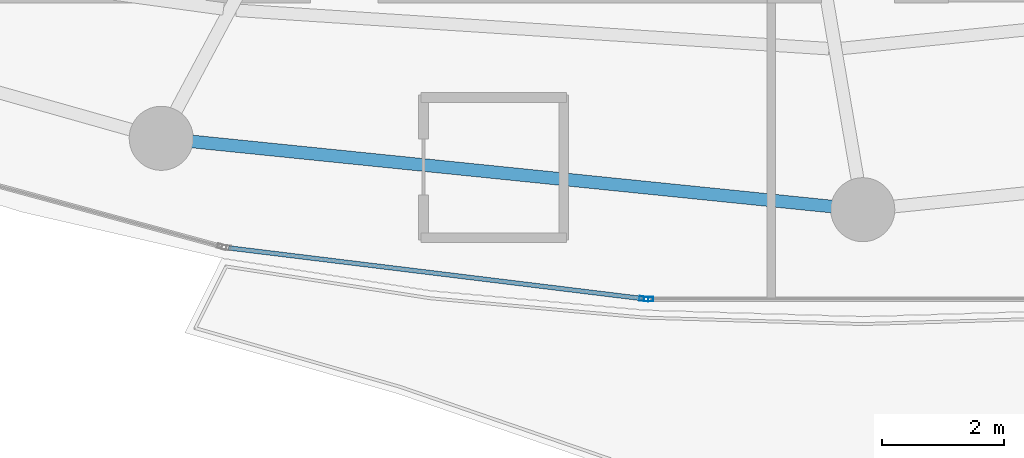
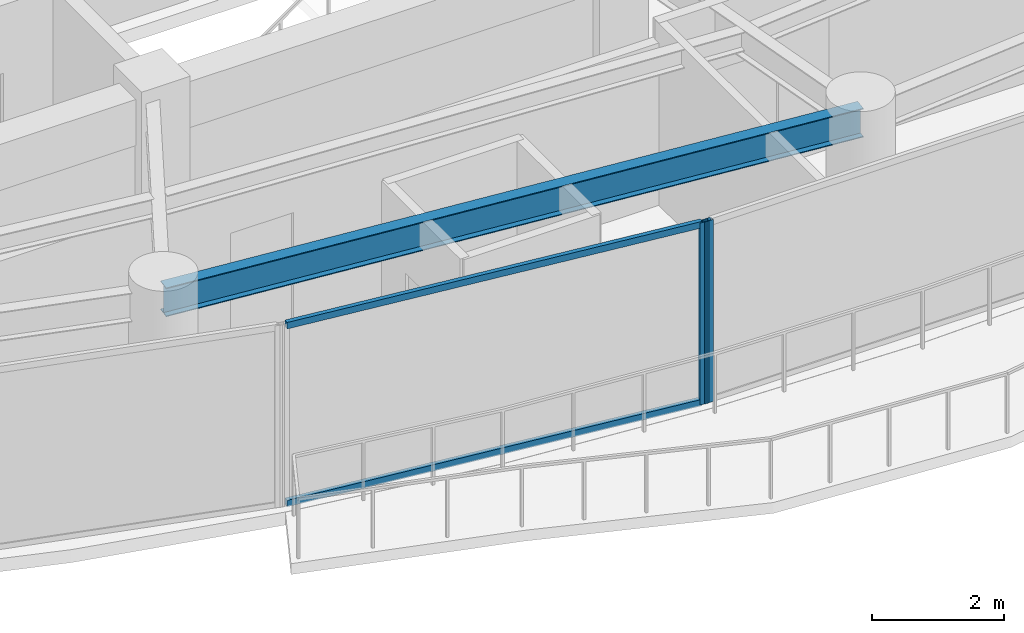
# One storey, part 6 of 31: 4 members, 1 beam, 2 elements without a shape of their own.
"""IFC4 building model written with IfcOpenShell, lengths in metres."""

import ifcopenshell
import ifcopenshell.guid

model = None  # the IFC model being written
_history = None  # IfcOwnerHistory: only IFC2X3 demands one
_inside = {}  # id of a spatial element -> (the spatial element, [elements in it])
_under = {}  # id of a project, library or spatial element -> (it, [spatial elements below it])
_declared = {}  # id of a project -> (the project, [libraries it declares])
_typed = {}  # id of a type object -> (the type object, [elements of that type])
_made_of = {}  # id of a material, layer set ... -> (it, [elements and type objects made of it])


def new_model(schema):
    """Start an empty IFC model of exactly this schema.

    Asked for "IFC4X3", IfcOpenShell would pick the latest addendum, in which some entities
    have other attributes; the version numbers below select the first issue.
    IFC2X3 requires an IfcOwnerHistory on every rooted entity: one is made here for all.
    """
    global model, _history
    if schema == "IFC4X3":
        model = ifcopenshell.file(schema_version=(4, 3, 0, 0))
    else:
        model = ifcopenshell.file(schema=schema)
    _inside.clear()
    _under.clear()
    _declared.clear()
    _typed.clear()
    _made_of.clear()
    _history = None
    if model.schema == "IFC2X3":
        org = make("IfcOrganization", Name="unknown")
        user = make(
            "IfcPersonAndOrganization",
            ThePerson=make("IfcPerson", FamilyName="unknown"),
            TheOrganization=org,
        )
        app = make(
            "IfcApplication",
            ApplicationDeveloper=org,
            Version="unknown",
            ApplicationFullName="unknown",
            ApplicationIdentifier="unknown",
        )
        _history = make(
            "IfcOwnerHistory",
            OwningUser=user,
            OwningApplication=app,
            ChangeAction="ADDED",
            CreationDate=0,
        )
    return model


def make(cls, **values):
    """One entity of the class cls with the attributes given. An attribute that is None is left unset."""
    return model.create_entity(
        cls, **{name: value for name, value in values.items() if value is not None}
    )


def rooted(cls, **values):
    """An entity with a GlobalId (a new one), such as an element, a storey or a relation."""
    return make(cls, GlobalId=ifcopenshell.guid.new(), OwnerHistory=_history, **values)


def si_unit(unit_type, name, prefix=None):
    """IfcSIUnit, for example si_unit("LENGTHUNIT", "METRE", prefix="MILLI")."""
    return make("IfcSIUnit", UnitType=unit_type, Prefix=prefix, Name=name)


def assignment(units):
    """IfcUnitAssignment: the units of a project."""
    return None if units is None else make("IfcUnitAssignment", Units=units)


def point(xyz):
    """IfcCartesianPoint."""
    return None if xyz is None else make("IfcCartesianPoint", Coordinates=xyz)


def direction(xyz):
    """IfcDirection."""
    return None if xyz is None else make("IfcDirection", DirectionRatios=xyz)


def frame(location, z_axis=None, x_axis=None):
    """IfcAxis2Placement3D, a coordinate frame: its origin and axes. An axis left out is left unset."""
    return make(
        "IfcAxis2Placement3D",
        Location=point(location),
        Axis=direction(z_axis),
        RefDirection=direction(x_axis),
    )


def frame_2d(location, x_axis=None):
    """IfcAxis2Placement2D, a coordinate frame in the plane: its origin and x axis."""
    return make(
        "IfcAxis2Placement2D", Location=point(location), RefDirection=direction(x_axis)
    )


def origin():
    """The frame at (0, 0, 0) with its axes left unset."""
    return frame((0.0, 0.0, 0.0))


def origin_2d():
    """The frame at (0, 0) in the plane with its x axis left unset."""
    return frame_2d((0.0, 0.0))


def place(relative_to, where):
    """IfcLocalPlacement: puts the frame where relative to a parent placement (None: the world)."""
    return make(
        "IfcLocalPlacement", PlacementRelTo=relative_to, RelativePlacement=where
    )


def context(
    kind, dimensions, precision=None, world=None, true_north=None, identifier=None
):
    """IfcGeometricRepresentationContext, for example the 3D "Model" context."""
    return make(
        "IfcGeometricRepresentationContext",
        ContextIdentifier=identifier,
        ContextType=kind,
        CoordinateSpaceDimension=dimensions,
        Precision=precision,
        WorldCoordinateSystem=world,
        TrueNorth=true_north,
    )


def subcontext(parent, identifier, kind, view, scale=None):
    """IfcGeometricRepresentationSubContext, for example "Body" below "Model"."""
    return make(
        "IfcGeometricRepresentationSubContext",
        ContextIdentifier=identifier,
        ContextType=kind,
        ParentContext=parent,
        TargetScale=scale,
        TargetView=view,
    )


def project(units=None, contexts=None):
    """IfcProject with its units and contexts."""
    return rooted(
        "IfcProject",
        Name="project",
        RepresentationContexts=contexts,
        UnitsInContext=assignment(units),
    )


def spatial(cls, under=None, at=None, **own):
    """A site, building, storey or space (cls), placed at a placement, below another one or the project."""
    s = rooted(cls, ObjectPlacement=at, **own)
    if under is not None:
        _under.setdefault(under.id(), (under, []))[1].append(s)
    return s


def profile(cls, at=None, kind="AREA", **sizes):
    """A parametric profile (cls). Its sizes go by their IFC names, for example OverallWidth=200.0."""
    return make(cls, ProfileType=kind, Position=at, **sizes)


def hollow_rectangle(**sizes):
    """IfcRectangleHollowProfileDef."""
    return profile("IfcRectangleHollowProfileDef", **sizes)


def i_section(**sizes):
    """IfcIShapeProfileDef."""
    return profile("IfcIShapeProfileDef", **sizes)


def extrude(swept, where, along, depth):
    """IfcExtrudedAreaSolid: the profile swept, set in the frame where, extruded along a direction by depth."""
    return make(
        "IfcExtrudedAreaSolid",
        SweptArea=swept,
        Position=where,
        ExtrudedDirection=direction(along),
        Depth=depth,
    )


def shape(context_of_items, identifier, shape_type, items):
    """IfcShapeRepresentation: the items that make up one representation, for example the "Body"."""
    return make(
        "IfcShapeRepresentation",
        ContextOfItems=context_of_items,
        RepresentationIdentifier=identifier,
        RepresentationType=shape_type,
        Items=items,
    )


def material(Name=None, Category=None):
    """IfcMaterial."""
    return make("IfcMaterial", Name=Name, Category=Category)


def layer(
    of_material, thickness, ventilated=None, Name=None, Category=None, Priority=None
):
    """IfcMaterialLayer: one layer of a wall or slab, of a material (None: an air gap)."""
    return make(
        "IfcMaterialLayer",
        Material=of_material,
        LayerThickness=thickness,
        IsVentilated=ventilated,
        Name=Name,
        Category=Category,
        Priority=Priority,
    )


def layer_set(layers, Name=None):
    """IfcMaterialLayerSet."""
    return make("IfcMaterialLayerSet", MaterialLayers=layers, LayerSetName=Name)


def material_profile(
    of_material, cross_section, Name=None, Category=None, Priority=None
):
    """IfcMaterialProfile: a cross section and its material."""
    return make(
        "IfcMaterialProfile",
        Name=Name,
        Material=of_material,
        Profile=cross_section,
        Priority=Priority,
        Category=Category,
    )


def profile_set(profiles, Name=None, composite=None):
    """IfcMaterialProfileSet."""
    return make(
        "IfcMaterialProfileSet",
        Name=Name,
        MaterialProfiles=profiles,
        CompositeProfile=composite,
    )


def made_of(thing, what):
    """Note that an element or type object is made of a material, layer set ...; save() writes the relation."""
    if what is not None:
        _made_of.setdefault(what.id(), (what, []))[1].append(thing)
    return thing


def type_object(cls, material=None, **own):
    """A type object (cls), such as IfcWallType, which elements share."""
    return made_of(rooted(cls, **own), material)


def element(
    cls,
    number,
    at=None,
    inside=None,
    cuts=None,
    type_object=None,
    material=None,
    context=None,
    identifier="Body",
    shape_type=None,
    held_by="IfcProductDefinitionShape",
    body=None,
    shapes=None,
    **own,
):
    """One element of the class cls, such as IfcWall. Its Tag is "e" and its number.

    at: its placement. inside: the storey or other place that contains it. cuts: it is an
    opening in that element (IfcRelVoidsElement). A single representation is given by context,
    identifier, shape_type and body (its items); several are given by shapes. held_by: the class
    of the entity that holds the representations. save() writes the other relations.
    """
    e = rooted(cls, Tag="e%d" % number, ObjectPlacement=at, **own)
    if body is not None:
        shapes = [shape(context, identifier, shape_type, body)]
    if shapes is not None:
        e.Representation = make(held_by, Representations=shapes)
    if inside is not None:
        _inside.setdefault(inside.id(), (inside, []))[1].append(e)
    if cuts is not None:
        rooted(
            "IfcRelVoidsElement", RelatingBuildingElement=cuts, RelatedOpeningElement=e
        )
    if type_object is not None:
        _typed.setdefault(type_object.id(), (type_object, []))[1].append(e)
    return made_of(e, material)


def aggregate(whole, parts):
    """IfcRelAggregates: a whole, such as a stair, and the parts it consists of."""
    return rooted("IfcRelAggregates", RelatingObject=whole, RelatedObjects=parts)


def save(model, path):
    """Write the relations noted so far, then the file.

    IfcRelAggregates (storeys below a building ...), IfcRelContainedInSpatialStructure (elements
    in a storey), IfcRelDefinesByType, IfcRelAssociatesMaterial and IfcRelDeclares: one each for
    every whole, place, type object, material and project.
    """
    for whole, parts in _under.values():
        aggregate(whole, parts)
    for where, things in _inside.values():
        rooted(
            "IfcRelContainedInSpatialStructure",
            RelatedElements=things,
            RelatingStructure=where,
        )
    for kind, things in _typed.values():
        rooted("IfcRelDefinesByType", RelatedObjects=things, RelatingType=kind)
    for what, things in _made_of.values():
        rooted("IfcRelAssociatesMaterial", RelatedObjects=things, RelatingMaterial=what)
    for by, libraries in _declared.values():
        rooted("IfcRelDeclares", RelatingContext=by, RelatedDefinitions=libraries)
    model.write(path)


model = new_model("IFC4")

# Units and contexts
model_context = context("Model", 3, precision=1e-05, world=origin(), true_north=direction((0.0, 1.0)))
body_context = subcontext(model_context, "Body", "Model", "MODEL_VIEW")
ifc_project = project(units=[si_unit("LENGTHUNIT", "METRE"), si_unit("AREAUNIT", "SQUARE_METRE"), si_unit("VOLUMEUNIT", "CUBIC_METRE"), si_unit("PLANEANGLEUNIT", "RADIAN"), si_unit("MASSUNIT", "GRAM", prefix="KILO")], contexts=[model_context])

# Site, building, storey
site_placement = place(None, origin())
site = spatial("IfcSite", under=ifc_project, at=site_placement, CompositionType="ELEMENT")
building_placement = place(site_placement, origin())
building = spatial("IfcBuilding", under=site, at=building_placement, Name="Kazevale Care Tower and Concert Hall", CompositionType="ELEMENT")
storey_placement = place(building_placement, frame((0.0, 0.0, 206.39990234375)))
storey = spatial("IfcBuildingStorey", under=building, at=storey_placement, Name="L54", CompositionType="ELEMENT", Elevation=206.39990234375)

# Curtain wall, member
ifc_material_1 = material(Name="Aluminium 6063-T6 and Low-E Glass", Category="aluminium")
ifc_layer = layer(ifc_material_1, 0.179931640625)
ifc_layer_set = layer_set([ifc_layer], Name="Aluminium 6063-T6 and Low-E Glass")
curtain_wall_type = type_object("IfcCurtainWallType", Name="Sheltered Concave Balcony Curtain Wall CW-5", PredefinedType="NOTDEFINED", material=ifc_layer_set)
curtain_wall_1_placement = place(storey_placement, origin())
curtain_wall_1 = element("IfcCurtainWall", 1, at=curtain_wall_1_placement, inside=storey, type_object=curtain_wall_type, Name="cw:L54:f06", PredefinedType="NOTDEFINED")
ifc_material_2 = material(Name="Aluminium 6063-T6", Category="aluminium")
ifc_material_profile_1 = material_profile(ifc_material_2, hollow_rectangle(XDim=0.074951171875, YDim=0.14990234375, WallThickness=0.00390625, at=origin_2d()), Name="ALU75x150x4")
ifc_profile_set_1 = profile_set([ifc_material_profile_1], Name="Aluminium 6063-T6")
member_type_1 = type_object("IfcMemberType", Name="CW-5 Mullion ALU75x150x4", PredefinedType="MULLION", material=ifc_profile_set_1)
member_1_placement = place(storey_placement, frame((41.487548828125, 16.284912109375, 0.0), z_axis=(0.0, 0.0, 1.0), x_axis=(0.0, -1.0, 0.0)))
member_1 = element("IfcMember", 2, at=member_1_placement, type_object=member_type_1, Name="CW-5 mullion 2", PredefinedType="MULLION", context=body_context, shape_type="SweptSolid", body=[
    extrude(hollow_rectangle(XDim=0.074951171875, YDim=0.14990234375, WallThickness=0.00390625, at=origin_2d()), origin(), (0.0, 0.0, 1.0), 3.360107421875),
])
aggregate(curtain_wall_1, [member_1])

# Curtain wall, members
curtain_wall_2_placement = place(storey_placement, origin())
curtain_wall_2 = element("IfcCurtainWall", 3, at=curtain_wall_2_placement, inside=storey, type_object=curtain_wall_type, Name="cw:L54:f07", PredefinedType="NOTDEFINED")
member_2_placement = place(storey_placement, frame((41.412841796875, 16.28955078125, 0.0), z_axis=(0.0, 0.0, 1.0), x_axis=(-0.121650797964, -0.992572961225, 0.0)))
member_2 = element("IfcMember", 4, at=member_2_placement, type_object=member_type_1, Name="CW-5 mullion 1", PredefinedType="MULLION", context=body_context, shape_type="SweptSolid", body=[
    extrude(hollow_rectangle(XDim=0.074951171875, YDim=0.14990234375, WallThickness=0.00390625, at=origin_2d()), origin(), (0.0, 0.0, 1.0), 3.360107421875),
])
ifc_material_profile_2 = material_profile(ifc_material_2, hollow_rectangle(XDim=0.074951171875, YDim=0.1201171875, WallThickness=0.00390625, at=origin_2d()), Name="ALU75x120x4")
ifc_profile_set_2 = profile_set([ifc_material_profile_2], Name="Aluminium 6063-T6")
member_type_2 = type_object("IfcMemberType", Name="CW-5 Transom ALU75x120x4", PredefinedType="USERDEFINED", material=ifc_profile_set_2)
member_3_placement = place(storey_placement, frame((41.37548828125, 16.294189453125, 0.03759765625), z_axis=(-0.992575633306, 0.121628993941, 0.0), x_axis=(-0.121628993941, -0.992575633306, 0.0)))
member_3 = element("IfcMember", 5, at=member_3_placement, type_object=member_type_2, Name="CW-5 transom 1.1", ObjectType="TRANSOM", PredefinedType="USERDEFINED", context=body_context, shape_type="SweptSolid", body=[
    extrude(hollow_rectangle(XDim=0.074951171875, YDim=0.1201171875, WallThickness=0.00390625, at=origin_2d()), origin(), (0.0, 0.0, 1.0), 6.820556640625),
])
member_4_placement = place(storey_placement, frame((41.37548828125, 16.294189453125, 3.322509765625), z_axis=(-0.992575633306, 0.121628993941, 0.0), x_axis=(-0.121628993941, -0.992575633306, 0.0)))
member_4 = element("IfcMember", 6, at=member_4_placement, type_object=member_type_2, Name="CW-5 transom 1.2", ObjectType="TRANSOM", PredefinedType="USERDEFINED", context=body_context, shape_type="SweptSolid", body=[
    extrude(hollow_rectangle(XDim=0.074951171875, YDim=0.1201171875, WallThickness=0.00390625, at=origin_2d()), origin(), (0.0, 0.0, 1.0), 6.820556640625),
])
aggregate(curtain_wall_2, [member_2, member_3, member_4])

# Beam
ifc_material_3 = material(Name="Steel ASTM A572 Gr 50", Category="steel")
ifc_material_profile_3 = material_profile(ifc_material_3, i_section(OverallWidth=0.208984375, OverallDepth=0.532958984375, WebThickness=0.01025390625, FlangeThickness=0.015625, at=origin_2d()), Name="W530x92")
ifc_profile_set_3 = profile_set([ifc_material_profile_3], Name="Steel ASTM A572 Gr 50")
beam_type = type_object("IfcBeamType", Name="Upper Ring Beam W530x92", PredefinedType="BEAM", material=ifc_profile_set_3)
beam_placement = place(storey_placement, frame((33.5, 18.919921875, 3.093505859375), z_axis=(0.994865089307, -0.101209950492, 0.0), x_axis=(0.101209950492, 0.994865089307, 0.0)))
element("IfcBeam", 7, at=beam_placement, inside=storey, type_object=beam_type, Name="beam:L54:ring:12", PredefinedType="BEAM", context=body_context, shape_type="SweptSolid", body=[
    extrude(i_section(OverallWidth=0.208984375, OverallDepth=0.532958984375, WebThickness=0.01025390625, FlangeThickness=0.015625, at=origin_2d()), origin(), (0.0, 0.0, 1.0), 11.559326171875),
])

save(model, "model.ifc")
